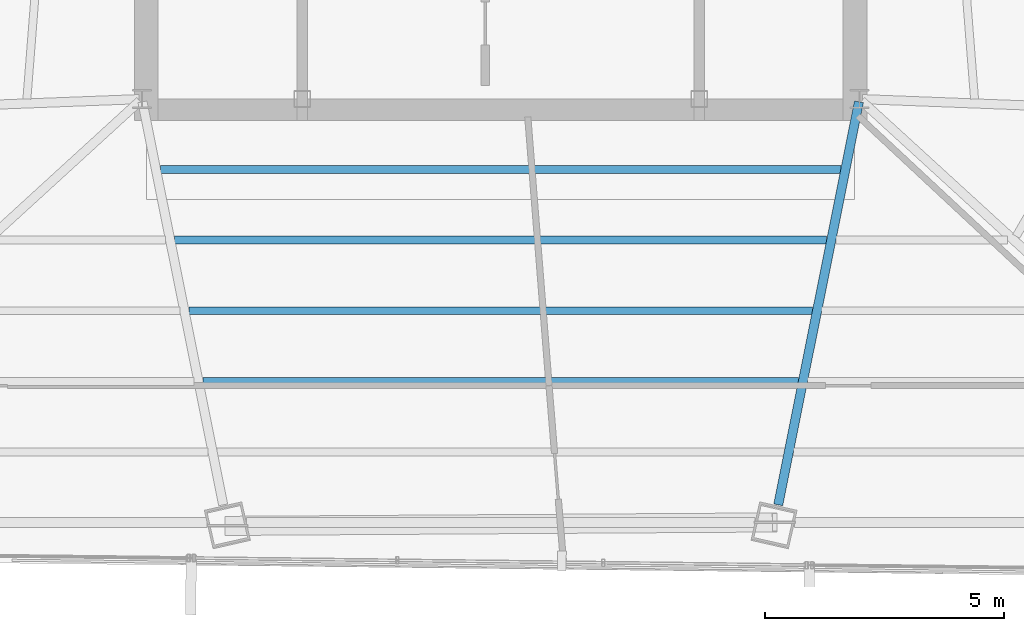
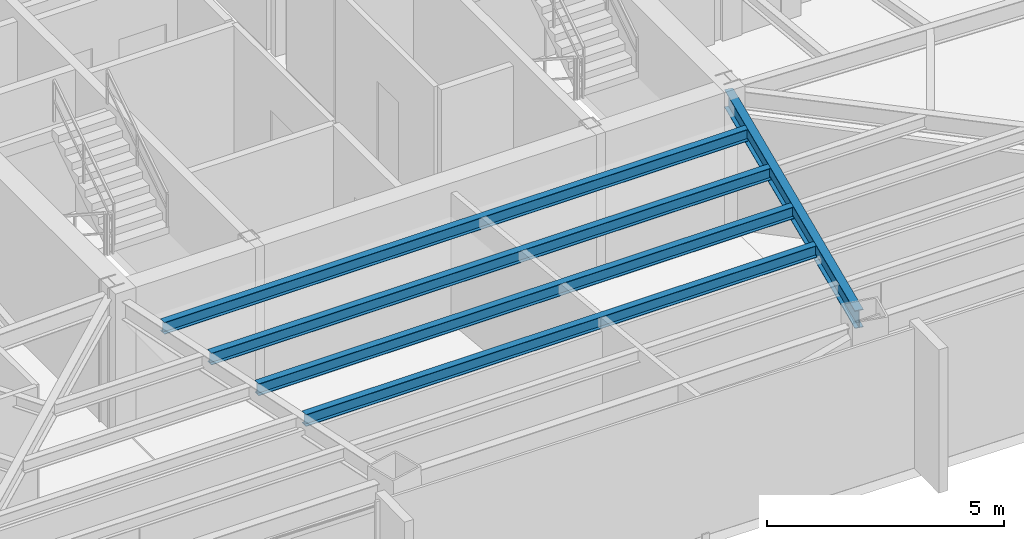
# One storey, part 11 of 40: 5 beams.
"""IFC4 building model written with IfcOpenShell, lengths in metres."""

from ifc_helpers import new_model, si_unit, direction, frame, origin, origin_2d, place, context, subcontext, project, spatial, i_section, extrude, source, transform, mapped, material, material_profile, profile_set, type_object, type_shapes, element, save


model = new_model("IFC4")

# Units and contexts
model_context = context("Model", 3, precision=1e-05, world=origin(), true_north=direction((0.0, 1.0)))
body_context = subcontext(model_context, "Body", "Model", "MODEL_VIEW")
ifc_project = project(units=[si_unit("LENGTHUNIT", "METRE"), si_unit("AREAUNIT", "SQUARE_METRE"), si_unit("VOLUMEUNIT", "CUBIC_METRE"), si_unit("PLANEANGLEUNIT", "RADIAN"), si_unit("MASSUNIT", "GRAM", prefix="KILO")], contexts=[model_context])

# Site, building, storey
site_placement = place(None, origin())
site = spatial("IfcSite", under=ifc_project, at=site_placement, CompositionType="ELEMENT")
building_placement = place(site_placement, origin())
building = spatial("IfcBuilding", under=site, at=building_placement, Name="Caelisora Broadcast Tower", CompositionType="ELEMENT")
storey_placement = place(building_placement, frame((0.0, 0.0, 213.25)))
storey = spatial("IfcBuildingStorey", under=building, at=storey_placement, Name="L56", CompositionType="ELEMENT", Elevation=213.25)

# Beams
ifc_material = material(Name="Steel Grade 350 (AS/NZS 3679.1)", Category="steel")
ifc_material_profile_1 = material_profile(ifc_material, i_section(OverallWidth=0.19091796875, OverallDepth=0.46044921875, WebThickness=0.010009765625, FlangeThickness=0.01611328125, at=origin_2d()), Name="Steel Grade 350 (AS/NZS 3679.1)")
ifc_profile_set_1 = profile_set([ifc_material_profile_1], Name="Steel Grade 350 (AS/NZS 3679.1)")
beam_type_1 = type_object("IfcBeamType", Name="PG06", PredefinedType="BEAM", material=ifc_profile_set_1)
shared_shape_1 = source(origin(), body_context, "Body", "SweptSolid", [
    extrude(i_section(OverallWidth=0.19091796875, OverallDepth=0.46044921875, WebThickness=0.010009765625, FlangeThickness=0.01611328125, at=origin_2d()), origin(), (0.0, 0.0, 1.0), 8.59033203125),
])
type_shapes(beam_type_1, [shared_shape_1])
beam_1_placement = place(storey_placement, frame((45.48828125, 17.34130859375, 3.169921875), z_axis=(-0.196411257983, -0.980521604931, 0.0), x_axis=(0.980521604931, -0.196411257983, 0.0)))
element("IfcBeam", 1, at=beam_1_placement, inside=storey, type_object=beam_type_1, Name="L56 beam PG06", PredefinedType="BEAM", context=body_context, shape_type="MappedRepresentation", body=[
    mapped(shared_shape_1, transform((0.0, 0.0, 0.0), scale=1.0)),
])
ifc_material_profile_2 = material_profile(ifc_material, i_section(OverallWidth=0.166015625, OverallDepth=0.30712890625, WebThickness=0.006591796875, FlangeThickness=0.01171875, at=origin_2d()), Name="Steel Grade 350 (AS/NZS 3679.1)")
ifc_profile_set_2 = profile_set([ifc_material_profile_2], Name="Steel Grade 350 (AS/NZS 3679.1)")
beam_type_2 = type_object("IfcBeamType", Name="SB03", PredefinedType="JOIST", material=ifc_profile_set_2)
shared_shape_2 = source(origin(), body_context, "Body", "SweptSolid", [
    extrude(i_section(OverallWidth=0.166015625, OverallDepth=0.30712890625, WebThickness=0.006591796875, FlangeThickness=0.01171875, at=origin_2d()), origin(), (0.0, 0.0, 1.0), 14.22021484375),
])
beam_2_placement = place(storey_placement, frame((30.889892578125, 15.9248046875, 3.246337890625), z_axis=(1.0, 0.0, 0.0), x_axis=(0.0, 1.0, 0.0)))
element("IfcBeam", 2, at=beam_2_placement, inside=storey, type_object=beam_type_2, Name="L56 beam SB03", PredefinedType="JOIST", context=body_context, shape_type="MappedRepresentation", body=[
    mapped(shared_shape_2, transform((0.0, 0.0, 0.0), scale=1.0)),
])
shared_shape_3 = source(origin(), body_context, "Body", "SweptSolid", [
    extrude(i_section(OverallWidth=0.166015625, OverallDepth=0.30712890625, WebThickness=0.006591796875, FlangeThickness=0.01171875, at=origin_2d()), origin(), (0.0, 0.0, 1.0), 13.62939453125),
])
beam_3_placement = place(storey_placement, frame((31.185302734375, 14.44970703125, 3.246337890625), z_axis=(1.0, 0.0, 0.0), x_axis=(0.0, 1.0, 0.0)))
element("IfcBeam", 3, at=beam_3_placement, inside=storey, type_object=beam_type_2, Name="L56 beam SB03", PredefinedType="JOIST", context=body_context, shape_type="MappedRepresentation", body=[
    mapped(shared_shape_3, transform((0.0, 0.0, 0.0), scale=1.0)),
])
shared_shape_4 = source(origin(), body_context, "Body", "SweptSolid", [
    extrude(i_section(OverallWidth=0.166015625, OverallDepth=0.30712890625, WebThickness=0.006591796875, FlangeThickness=0.01171875, at=origin_2d()), origin(), (0.0, 0.0, 1.0), 13.03857421875),
])
beam_4_placement = place(storey_placement, frame((31.480712890625, 12.974853515625, 3.246337890625), z_axis=(1.0, 0.0, 0.0), x_axis=(0.0, 1.0, 0.0)))
element("IfcBeam", 4, at=beam_4_placement, inside=storey, type_object=beam_type_2, Name="L56 beam SB03", PredefinedType="JOIST", context=body_context, shape_type="MappedRepresentation", body=[
    mapped(shared_shape_4, transform((0.0, 0.0, 0.0), scale=1.0)),
])
shared_shape_5 = source(origin(), body_context, "Body", "SweptSolid", [
    extrude(i_section(OverallWidth=0.166015625, OverallDepth=0.30712890625, WebThickness=0.006591796875, FlangeThickness=0.01171875, at=origin_2d()), origin(), (0.0, 0.0, 1.0), 12.44775390625),
])
type_shapes(beam_type_2, [shared_shape_2, shared_shape_3, shared_shape_4, shared_shape_5])
beam_5_placement = place(storey_placement, frame((31.776123046875, 11.499755859375, 3.246337890625), z_axis=(1.0, 0.0, 0.0), x_axis=(0.0, 1.0, 0.0)))
element("IfcBeam", 5, at=beam_5_placement, inside=storey, type_object=beam_type_2, Name="L56 beam SB03", PredefinedType="JOIST", context=body_context, shape_type="MappedRepresentation", body=[
    mapped(shared_shape_5, transform((0.0, 0.0, 0.0), scale=1.0)),
])

save(model, "model.ifc")
